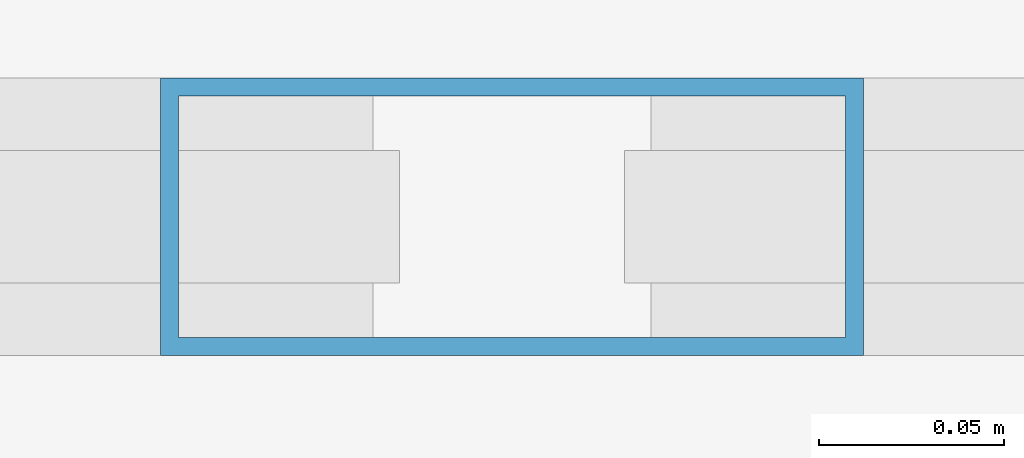
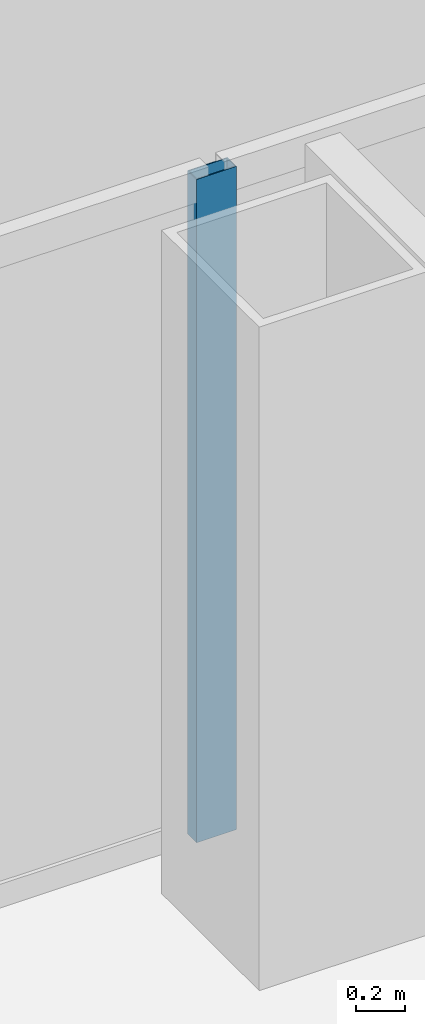
# One storey, part 16 of 27: 1 member, 1 element without a shape of its own.
"""IFC4 building model written with IfcOpenShell, lengths in metres."""

from ifc_helpers import new_model, si_unit, direction, frame, origin, origin_2d, place, context, subcontext, project, spatial, hollow_rectangle, extrude, source, transform, mapped, material, layer, layer_set, material_profile, profile_set, type_object, element, aggregate, save


model = new_model("IFC4")

# Units and contexts
model_context = context("Model", 3, precision=1e-05, world=origin(), true_north=direction((0.0, 1.0)))
body_context = subcontext(model_context, "Body", "Model", "MODEL_VIEW")
ifc_project = project(units=[si_unit("LENGTHUNIT", "METRE"), si_unit("AREAUNIT", "SQUARE_METRE"), si_unit("VOLUMEUNIT", "CUBIC_METRE"), si_unit("PLANEANGLEUNIT", "RADIAN"), si_unit("MASSUNIT", "GRAM", prefix="KILO")], contexts=[model_context])

# Site, building, storey
site_placement = place(None, origin())
site = spatial("IfcSite", under=ifc_project, at=site_placement, CompositionType="ELEMENT")
building_placement = place(site_placement, origin())
building = spatial("IfcBuilding", under=site, at=building_placement, Name="Kolveth Station Tower", CompositionType="ELEMENT")
storey_placement = place(building_placement, frame((0.0, 0.0, 22.5)))
storey = spatial("IfcBuildingStorey", under=building, at=storey_placement, Name="L05", CompositionType="ELEMENT", Elevation=22.5)

# Curtain wall, member
ifc_material_1 = material(Name="Aluminium 6063-T6 and low-E dark glass", Category="aluminium")
ifc_layer = layer(ifc_material_1, 0.179931640625)
ifc_layer_set = layer_set([ifc_layer], Name="Aluminium 6063-T6 and low-E dark glass")
curtain_wall_type = type_object("IfcCurtainWallType", Name="CurtainWall_CW-Z1", PredefinedType="NOTDEFINED", material=ifc_layer_set)
curtain_wall_placement = place(storey_placement, origin())
curtain_wall = element("IfcCurtainWall", 1, at=curtain_wall_placement, inside=storey, type_object=curtain_wall_type, Name="L05 Inner Thermal Curtain Wall 6", PredefinedType="NOTDEFINED")
ifc_material_2 = material(Name="Black anodized aluminium 6063-T6", Category="aluminium")
ifc_material_profile = material_profile(ifc_material_2, hollow_rectangle(XDim=0.074951171875, YDim=0.18994140625, WallThickness=0.0048828125, at=origin_2d()), Name="ALU-75x190x5")
ifc_profile_set = profile_set([ifc_material_profile], Name="Black anodized aluminium 6063-T6")
member_type = type_object("IfcMemberType", Name="Mullion_ML1", PredefinedType="MULLION", material=ifc_profile_set)
shared_shape = source(origin(), body_context, "Body", "SweptSolid", [
    extrude(hollow_rectangle(XDim=0.074951171875, YDim=0.18994140625, WallThickness=0.0048828125, at=origin_2d()), origin(), (0.0, 0.0, 1.0), 3.320068359375),
])
member_placement = place(storey_placement, frame((23.5, 40.3798828125, 0.0), z_axis=(0.0, 0.0, 1.0), x_axis=(0.0, -1.0, 0.0)))
member = element("IfcMember", 2, at=member_placement, type_object=member_type, Name="CW-Z1 mullion 2", PredefinedType="MULLION", context=body_context, shape_type="MappedRepresentation", body=[
    mapped(shared_shape, transform((0.0, 0.0, 0.0), x_axis=(1.0, 0.0, 0.0), y_axis=(0.0, 1.0, 0.0), z_axis=(0.0, 0.0, 1.0), scale=1.0)),
])
aggregate(curtain_wall, [member])

save(model, "model.ifc")
